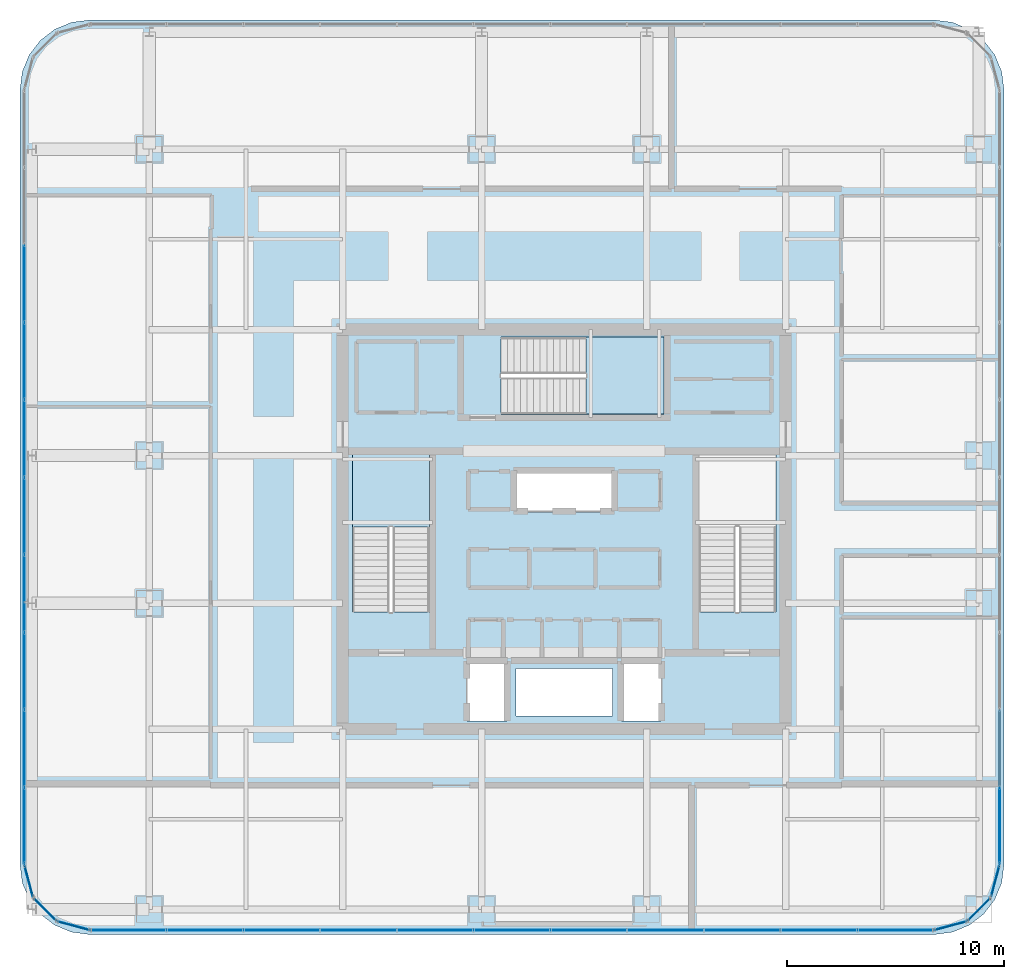
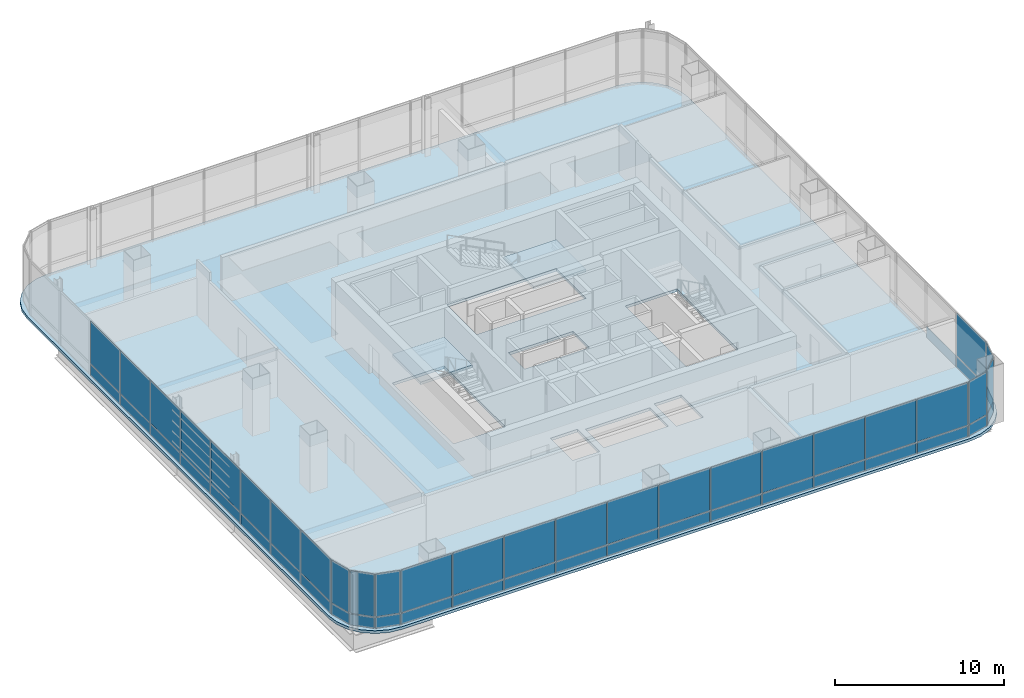
# One storey, part 32 of 42: 53 plates, 3 slabs, 11 elements without a shape of their own.
"""IFC4 building model written with IfcOpenShell, lengths in metres."""

import ifcopenshell
import ifcopenshell.guid

model = None  # the IFC model being written
_history = None  # IfcOwnerHistory: only IFC2X3 demands one
_inside = {}  # id of a spatial element -> (the spatial element, [elements in it])
_under = {}  # id of a project, library or spatial element -> (it, [spatial elements below it])
_declared = {}  # id of a project -> (the project, [libraries it declares])
_typed = {}  # id of a type object -> (the type object, [elements of that type])
_made_of = {}  # id of a material, layer set ... -> (it, [elements and type objects made of it])


def new_model(schema):
    """Start an empty IFC model of exactly this schema.

    Asked for "IFC4X3", IfcOpenShell would pick the latest addendum, in which some entities
    have other attributes; the version numbers below select the first issue.
    IFC2X3 requires an IfcOwnerHistory on every rooted entity: one is made here for all.
    """
    global model, _history
    if schema == "IFC4X3":
        model = ifcopenshell.file(schema_version=(4, 3, 0, 0))
    else:
        model = ifcopenshell.file(schema=schema)
    _inside.clear()
    _under.clear()
    _declared.clear()
    _typed.clear()
    _made_of.clear()
    _history = None
    if model.schema == "IFC2X3":
        org = make("IfcOrganization", Name="unknown")
        user = make(
            "IfcPersonAndOrganization",
            ThePerson=make("IfcPerson", FamilyName="unknown"),
            TheOrganization=org,
        )
        app = make(
            "IfcApplication",
            ApplicationDeveloper=org,
            Version="unknown",
            ApplicationFullName="unknown",
            ApplicationIdentifier="unknown",
        )
        _history = make(
            "IfcOwnerHistory",
            OwningUser=user,
            OwningApplication=app,
            ChangeAction="ADDED",
            CreationDate=0,
        )
    return model


def make(cls, **values):
    """One entity of the class cls with the attributes given. An attribute that is None is left unset."""
    return model.create_entity(
        cls, **{name: value for name, value in values.items() if value is not None}
    )


def rooted(cls, **values):
    """An entity with a GlobalId (a new one), such as an element, a storey or a relation."""
    return make(cls, GlobalId=ifcopenshell.guid.new(), OwnerHistory=_history, **values)


def si_unit(unit_type, name, prefix=None):
    """IfcSIUnit, for example si_unit("LENGTHUNIT", "METRE", prefix="MILLI")."""
    return make("IfcSIUnit", UnitType=unit_type, Prefix=prefix, Name=name)


def assignment(units):
    """IfcUnitAssignment: the units of a project."""
    return None if units is None else make("IfcUnitAssignment", Units=units)


def point(xyz):
    """IfcCartesianPoint."""
    return None if xyz is None else make("IfcCartesianPoint", Coordinates=xyz)


def direction(xyz):
    """IfcDirection."""
    return None if xyz is None else make("IfcDirection", DirectionRatios=xyz)


def frame(location, z_axis=None, x_axis=None):
    """IfcAxis2Placement3D, a coordinate frame: its origin and axes. An axis left out is left unset."""
    return make(
        "IfcAxis2Placement3D",
        Location=point(location),
        Axis=direction(z_axis),
        RefDirection=direction(x_axis),
    )


def frame_2d(location, x_axis=None):
    """IfcAxis2Placement2D, a coordinate frame in the plane: its origin and x axis."""
    return make(
        "IfcAxis2Placement2D", Location=point(location), RefDirection=direction(x_axis)
    )


def origin():
    """The frame at (0, 0, 0) with its axes left unset."""
    return frame((0.0, 0.0, 0.0))


def origin_2d():
    """The frame at (0, 0) in the plane with its x axis left unset."""
    return frame_2d((0.0, 0.0))


def place(relative_to, where):
    """IfcLocalPlacement: puts the frame where relative to a parent placement (None: the world)."""
    return make(
        "IfcLocalPlacement", PlacementRelTo=relative_to, RelativePlacement=where
    )


def context(
    kind, dimensions, precision=None, world=None, true_north=None, identifier=None
):
    """IfcGeometricRepresentationContext, for example the 3D "Model" context."""
    return make(
        "IfcGeometricRepresentationContext",
        ContextIdentifier=identifier,
        ContextType=kind,
        CoordinateSpaceDimension=dimensions,
        Precision=precision,
        WorldCoordinateSystem=world,
        TrueNorth=true_north,
    )


def subcontext(parent, identifier, kind, view, scale=None):
    """IfcGeometricRepresentationSubContext, for example "Body" below "Model"."""
    return make(
        "IfcGeometricRepresentationSubContext",
        ContextIdentifier=identifier,
        ContextType=kind,
        ParentContext=parent,
        TargetScale=scale,
        TargetView=view,
    )


def project(units=None, contexts=None):
    """IfcProject with its units and contexts."""
    return rooted(
        "IfcProject",
        Name="project",
        RepresentationContexts=contexts,
        UnitsInContext=assignment(units),
    )


def spatial(cls, under=None, at=None, **own):
    """A site, building, storey or space (cls), placed at a placement, below another one or the project."""
    s = rooted(cls, ObjectPlacement=at, **own)
    if under is not None:
        _under.setdefault(under.id(), (under, []))[1].append(s)
    return s


def polyline(points):
    """IfcPolyline through the points."""
    return make("IfcPolyline", Points=[point(p) for p in points])


def profile(cls, at=None, kind="AREA", **sizes):
    """A parametric profile (cls). Its sizes go by their IFC names, for example OverallWidth=200.0."""
    return make(cls, ProfileType=kind, Position=at, **sizes)


def rectangle(**sizes):
    """IfcRectangleProfileDef."""
    return profile("IfcRectangleProfileDef", **sizes)


def outline(outer, holes=None, kind="AREA"):
    """IfcArbitraryClosedProfileDef: a profile drawn as a closed curve; with holes, ...WithVoids."""
    if holes is None:
        return make("IfcArbitraryClosedProfileDef", ProfileType=kind, OuterCurve=outer)
    return make(
        "IfcArbitraryProfileDefWithVoids",
        ProfileType=kind,
        OuterCurve=outer,
        InnerCurves=holes,
    )


def extrude(swept, where, along, depth):
    """IfcExtrudedAreaSolid: the profile swept, set in the frame where, extruded along a direction by depth."""
    return make(
        "IfcExtrudedAreaSolid",
        SweptArea=swept,
        Position=where,
        ExtrudedDirection=direction(along),
        Depth=depth,
    )


def shape(context_of_items, identifier, shape_type, items):
    """IfcShapeRepresentation: the items that make up one representation, for example the "Body"."""
    return make(
        "IfcShapeRepresentation",
        ContextOfItems=context_of_items,
        RepresentationIdentifier=identifier,
        RepresentationType=shape_type,
        Items=items,
    )


def material(Name=None, Category=None):
    """IfcMaterial."""
    return make("IfcMaterial", Name=Name, Category=Category)


def layer(
    of_material, thickness, ventilated=None, Name=None, Category=None, Priority=None
):
    """IfcMaterialLayer: one layer of a wall or slab, of a material (None: an air gap)."""
    return make(
        "IfcMaterialLayer",
        Material=of_material,
        LayerThickness=thickness,
        IsVentilated=ventilated,
        Name=Name,
        Category=Category,
        Priority=Priority,
    )


def layer_set(layers, Name=None):
    """IfcMaterialLayerSet."""
    return make("IfcMaterialLayerSet", MaterialLayers=layers, LayerSetName=Name)


def made_of(thing, what):
    """Note that an element or type object is made of a material, layer set ...; save() writes the relation."""
    if what is not None:
        _made_of.setdefault(what.id(), (what, []))[1].append(thing)
    return thing


def type_object(cls, material=None, **own):
    """A type object (cls), such as IfcWallType, which elements share."""
    return made_of(rooted(cls, **own), material)


def element(
    cls,
    number,
    at=None,
    inside=None,
    cuts=None,
    type_object=None,
    material=None,
    context=None,
    identifier="Body",
    shape_type=None,
    held_by="IfcProductDefinitionShape",
    body=None,
    shapes=None,
    **own,
):
    """One element of the class cls, such as IfcWall. Its Tag is "e" and its number.

    at: its placement. inside: the storey or other place that contains it. cuts: it is an
    opening in that element (IfcRelVoidsElement). A single representation is given by context,
    identifier, shape_type and body (its items); several are given by shapes. held_by: the class
    of the entity that holds the representations. save() writes the other relations.
    """
    e = rooted(cls, Tag="e%d" % number, ObjectPlacement=at, **own)
    if body is not None:
        shapes = [shape(context, identifier, shape_type, body)]
    if shapes is not None:
        e.Representation = make(held_by, Representations=shapes)
    if inside is not None:
        _inside.setdefault(inside.id(), (inside, []))[1].append(e)
    if cuts is not None:
        rooted(
            "IfcRelVoidsElement", RelatingBuildingElement=cuts, RelatedOpeningElement=e
        )
    if type_object is not None:
        _typed.setdefault(type_object.id(), (type_object, []))[1].append(e)
    return made_of(e, material)


def aggregate(whole, parts):
    """IfcRelAggregates: a whole, such as a stair, and the parts it consists of."""
    return rooted("IfcRelAggregates", RelatingObject=whole, RelatedObjects=parts)


def save(model, path):
    """Write the relations noted so far, then the file.

    IfcRelAggregates (storeys below a building ...), IfcRelContainedInSpatialStructure (elements
    in a storey), IfcRelDefinesByType, IfcRelAssociatesMaterial and IfcRelDeclares: one each for
    every whole, place, type object, material and project.
    """
    for whole, parts in _under.values():
        aggregate(whole, parts)
    for where, things in _inside.values():
        rooted(
            "IfcRelContainedInSpatialStructure",
            RelatedElements=things,
            RelatingStructure=where,
        )
    for kind, things in _typed.values():
        rooted("IfcRelDefinesByType", RelatedObjects=things, RelatingType=kind)
    for what, things in _made_of.values():
        rooted("IfcRelAssociatesMaterial", RelatedObjects=things, RelatingMaterial=what)
    for by, libraries in _declared.values():
        rooted("IfcRelDeclares", RelatingContext=by, RelatedDefinitions=libraries)
    model.write(path)


model = new_model("IFC4")

# Units and contexts
model_context = context("Model", 3, precision=1e-05, world=origin(), true_north=direction((0.0, 1.0)))
body_context = subcontext(model_context, "Body", "Model", "MODEL_VIEW")
ifc_project = project(units=[si_unit("LENGTHUNIT", "METRE"), si_unit("AREAUNIT", "SQUARE_METRE"), si_unit("VOLUMEUNIT", "CUBIC_METRE"), si_unit("PLANEANGLEUNIT", "RADIAN"), si_unit("MASSUNIT", "GRAM", prefix="KILO")], contexts=[model_context])

# Site, building, storey
site_placement = place(None, origin())
site = spatial("IfcSite", under=ifc_project, at=site_placement, CompositionType="ELEMENT")
building_placement = place(site_placement, origin())
building = spatial("IfcBuilding", under=site, at=building_placement, Name="Punatoya Terracotta Tower", CompositionType="ELEMENT")
storey_placement = place(building_placement, frame((0.0, 0.0, 304.800048828125)))
storey = spatial("IfcBuildingStorey", under=building, at=storey_placement, Name="L72", CompositionType="ELEMENT", Elevation=304.800048828125)

# Curtain wall, plates
ifc_material_1 = material(Name="Aluminium 6063-T6 + Double Low-E Glass", Category="aluminium")
curtain_wall_type = type_object("IfcCurtainWallType", Name="CW-M3", PredefinedType="NOTDEFINED", material=ifc_material_1)
curtain_wall_1_placement = place(storey_placement, origin())
curtain_wall_1 = element("IfcCurtainWall", 1, at=curtain_wall_1_placement, inside=storey, type_object=curtain_wall_type, Name="L72 Curtain Wall CW-L72-S01-1", PredefinedType="NOTDEFINED")
ifc_material_2 = material(Name="Double Low-E Acoustic Vision Glass", Category="glass")
ifc_layer_1 = layer(ifc_material_2, 0.031982421875)
ifc_layer_set_1 = layer_set([ifc_layer_1], Name="Double Low-E Acoustic Vision Glass")
plate_type_1 = type_object("IfcPlateType", Name="PLT-GLZ-32", PredefinedType="CURTAIN_PANEL", material=ifc_layer_set_1)
plate_1_placement = place(storey_placement, frame((-20.06982421875, -18.449951171875, 0.89013671875), z_axis=(0.0, 0.0, 1.0), x_axis=(1.0, 0.0, 0.0)))
plate_1 = element("IfcPlate", 2, at=plate_1_placement, type_object=plate_type_1, Name="CW-L72-S01-1 Vision Glass Panel 1", PredefinedType="CURTAIN_PANEL", context=body_context, shape_type="SweptSolid", body=[
    extrude(rectangle(XDim=3.448974609375, YDim=0.031982421875, at=origin_2d()), origin(), (0.0, 0.0, 1.0), 3.070068359375),
])
plate_2_placement = place(storey_placement, frame((-16.535888671875, -18.449951171875, 0.89013671875), z_axis=(0.0, 0.0, 1.0), x_axis=(1.0, 0.0, 0.0)))
plate_2 = element("IfcPlate", 3, at=plate_2_placement, type_object=plate_type_1, Name="CW-L72-S01-1 Vision Glass Panel 2", PredefinedType="CURTAIN_PANEL", context=body_context, shape_type="SweptSolid", body=[
    extrude(rectangle(XDim=3.448974609375, YDim=0.031982421875, at=origin_2d()), origin(), (0.0, 0.0, 1.0), 3.070068359375),
])
plate_3_placement = place(storey_placement, frame((-13.001953125, -18.449951171875, 0.89013671875), z_axis=(0.0, 0.0, 1.0), x_axis=(1.0, 0.0, 0.0)))
plate_3 = element("IfcPlate", 4, at=plate_3_placement, type_object=plate_type_1, Name="CW-L72-S01-1 Vision Glass Panel 3", PredefinedType="CURTAIN_PANEL", context=body_context, shape_type="SweptSolid", body=[
    extrude(rectangle(XDim=3.448974609375, YDim=0.031982421875, at=origin_2d()), origin(), (0.0, 0.0, 1.0), 3.070068359375),
])
plate_4_placement = place(storey_placement, frame((-9.468017578125, -18.449951171875, 0.89013671875), z_axis=(0.0, 0.0, 1.0), x_axis=(1.0, 0.0, 0.0)))
plate_4 = element("IfcPlate", 5, at=plate_4_placement, type_object=plate_type_1, Name="CW-L72-S01-1 Vision Glass Panel 4", PredefinedType="CURTAIN_PANEL", context=body_context, shape_type="SweptSolid", body=[
    extrude(rectangle(XDim=3.448974609375, YDim=0.031982421875, at=origin_2d()), origin(), (0.0, 0.0, 1.0), 3.070068359375),
])
plate_5_placement = place(storey_placement, frame((-5.93408203125, -18.449951171875, 0.89013671875), z_axis=(0.0, 0.0, 1.0), x_axis=(1.0, 0.0, 0.0)))
plate_5 = element("IfcPlate", 6, at=plate_5_placement, type_object=plate_type_1, Name="CW-L72-S01-1 Vision Glass Panel 5", PredefinedType="CURTAIN_PANEL", context=body_context, shape_type="SweptSolid", body=[
    extrude(rectangle(XDim=3.448974609375, YDim=0.031982421875, at=origin_2d()), origin(), (0.0, 0.0, 1.0), 3.070068359375),
])
plate_6_placement = place(storey_placement, frame((-2.39990234375, -18.449951171875, 0.89013671875), z_axis=(0.0, 0.0, 1.0), x_axis=(1.0, 0.0, 0.0)))
plate_6 = element("IfcPlate", 7, at=plate_6_placement, type_object=plate_type_1, Name="CW-L72-S01-1 Vision Glass Panel 6", PredefinedType="CURTAIN_PANEL", context=body_context, shape_type="SweptSolid", body=[
    extrude(rectangle(XDim=3.448974609375, YDim=0.031982421875, at=origin_2d()), origin(), (0.0, 0.0, 1.0), 3.070068359375),
])
plate_7_placement = place(storey_placement, frame((1.134033203125, -18.449951171875, 0.89013671875), z_axis=(0.0, 0.0, 1.0), x_axis=(1.0, 0.0, 0.0)))
plate_7 = element("IfcPlate", 8, at=plate_7_placement, type_object=plate_type_1, Name="CW-L72-S01-1 Vision Glass Panel 7", PredefinedType="CURTAIN_PANEL", context=body_context, shape_type="SweptSolid", body=[
    extrude(rectangle(XDim=3.448974609375, YDim=0.031982421875, at=origin_2d()), origin(), (0.0, 0.0, 1.0), 3.070068359375),
])
plate_8_placement = place(storey_placement, frame((4.66796875, -18.449951171875, 0.89013671875), z_axis=(0.0, 0.0, 1.0), x_axis=(1.0, 0.0, 0.0)))
plate_8 = element("IfcPlate", 9, at=plate_8_placement, type_object=plate_type_1, Name="CW-L72-S01-1 Vision Glass Panel 8", PredefinedType="CURTAIN_PANEL", context=body_context, shape_type="SweptSolid", body=[
    extrude(rectangle(XDim=3.448974609375, YDim=0.031982421875, at=origin_2d()), origin(), (0.0, 0.0, 1.0), 3.070068359375),
])
plate_9_placement = place(storey_placement, frame((8.201904296875, -18.449951171875, 0.89013671875), z_axis=(0.0, 0.0, 1.0), x_axis=(1.0, 0.0, 0.0)))
plate_9 = element("IfcPlate", 10, at=plate_9_placement, type_object=plate_type_1, Name="CW-L72-S01-1 Vision Glass Panel 9", PredefinedType="CURTAIN_PANEL", context=body_context, shape_type="SweptSolid", body=[
    extrude(rectangle(XDim=3.448974609375, YDim=0.031982421875, at=origin_2d()), origin(), (0.0, 0.0, 1.0), 3.070068359375),
])
plate_10_placement = place(storey_placement, frame((11.73583984375, -18.449951171875, 0.89013671875), z_axis=(0.0, 0.0, 1.0), x_axis=(1.0, 0.0, 0.0)))
plate_10 = element("IfcPlate", 11, at=plate_10_placement, type_object=plate_type_1, Name="CW-L72-S01-1 Vision Glass Panel 10", PredefinedType="CURTAIN_PANEL", context=body_context, shape_type="SweptSolid", body=[
    extrude(rectangle(XDim=3.448974609375, YDim=0.031982421875, at=origin_2d()), origin(), (0.0, 0.0, 1.0), 3.070068359375),
])
plate_11_placement = place(storey_placement, frame((15.27001953125, -18.449951171875, 0.89013671875), z_axis=(0.0, 0.0, 1.0), x_axis=(1.0, 0.0, 0.0)))
plate_11 = element("IfcPlate", 12, at=plate_11_placement, type_object=plate_type_1, Name="CW-L72-S01-1 Vision Glass Panel 11", PredefinedType="CURTAIN_PANEL", context=body_context, shape_type="SweptSolid", body=[
    extrude(rectangle(XDim=3.448974609375, YDim=0.031982421875, at=origin_2d()), origin(), (0.0, 0.0, 1.0), 3.070068359375),
])

# Curtain wall, plate
curtain_wall_2_placement = place(storey_placement, origin())
curtain_wall_2 = element("IfcCurtainWall", 13, at=curtain_wall_2_placement, inside=storey, type_object=curtain_wall_type, Name="L72 Curtain Wall CW-L72-CRN02", PredefinedType="NOTDEFINED")
plate_12_placement = place(storey_placement, frame((17.79296875, -18.248291015625, 0.89013671875), z_axis=(0.0, 0.0, 1.0), x_axis=(0.966213877436, 0.257741620719, 0.0)))
plate_12 = element("IfcPlate", 14, at=plate_12_placement, type_object=plate_type_1, Name="CW-L72-CRN02 Vision Glass Panel 1", PredefinedType="CURTAIN_PANEL", context=body_context, shape_type="SweptSolid", body=[
    extrude(rectangle(XDim=1.47998046875, YDim=0.031982421875, at=origin_2d()), origin(), (0.0, 0.0, 1.0), 3.070068359375),
])

curtain_wall_3_placement = place(storey_placement, origin())
curtain_wall_3 = element("IfcCurtainWall", 15, at=curtain_wall_3_placement, inside=storey, type_object=curtain_wall_type, Name="L72 Curtain Wall CW-L72-CRN03", PredefinedType="NOTDEFINED")
plate_13_placement = place(storey_placement, frame((19.097900390625, -17.497802734375, 0.89013671875), z_axis=(0.0, 0.0, 1.0), x_axis=(0.707106781187, 0.707106781187, 0.0)))
plate_13 = element("IfcPlate", 16, at=plate_13_placement, type_object=plate_type_1, Name="CW-L72-CRN03 Vision Glass Panel 1", PredefinedType="CURTAIN_PANEL", context=body_context, shape_type="SweptSolid", body=[
    extrude(rectangle(XDim=1.467041015625, YDim=0.031982421875, at=origin_2d()), origin(), (0.0, 0.0, 1.0), 3.070068359375),
])

curtain_wall_4_placement = place(storey_placement, origin())
curtain_wall_4 = element("IfcCurtainWall", 17, at=curtain_wall_4_placement, inside=storey, type_object=curtain_wall_type, Name="L72 Curtain Wall CW-L72-CRN04", PredefinedType="NOTDEFINED")
plate_14_placement = place(storey_placement, frame((19.848388671875, -16.193115234375, 0.89013671875), z_axis=(0.0, 0.0, 1.0), x_axis=(0.257741620719, 0.966213877436, 0.0)))
plate_14 = element("IfcPlate", 18, at=plate_14_placement, type_object=plate_type_1, Name="CW-L72-CRN04 Vision Glass Panel 1", PredefinedType="CURTAIN_PANEL", context=body_context, shape_type="SweptSolid", body=[
    extrude(rectangle(XDim=1.47998046875, YDim=0.031982421875, at=origin_2d()), origin(), (0.0, 0.0, 1.0), 3.070068359375),
])

curtain_wall_5_placement = place(storey_placement, origin())
curtain_wall_5 = element("IfcCurtainWall", 19, at=curtain_wall_5_placement, inside=storey, type_object=curtain_wall_type, Name="L72 Curtain Wall CW-L72-E05-1", PredefinedType="NOTDEFINED")
plate_15_placement = place(storey_placement, frame((20.050048828125, -13.6533203125, 0.89013671875), z_axis=(0.0, 0.0, 1.0), x_axis=(0.0, 1.0, 0.0)))
plate_15 = element("IfcPlate", 20, at=plate_15_placement, type_object=plate_type_1, Name="CW-L72-E05-1 Vision Glass Panel 1", PredefinedType="CURTAIN_PANEL", context=body_context, shape_type="SweptSolid", body=[
    extrude(rectangle(XDim=3.482421875, YDim=0.031982421875, at=origin_2d()), origin(), (0.0, 0.0, 1.0), 3.070068359375),
])

# Curtain wall, plates
curtain_wall_6_placement = place(storey_placement, origin())
curtain_wall_6 = element("IfcCurtainWall", 21, at=curtain_wall_6_placement, inside=storey, type_object=curtain_wall_type, Name="L72 Curtain Wall CW-L72-W13-1", PredefinedType="NOTDEFINED")
plate_16_placement = place(storey_placement, frame((-24.85009765625, 11.318359375, 0.89013671875), z_axis=(0.0, 0.0, 1.0), x_axis=(0.0, -1.0, 0.0)))
plate_16 = element("IfcPlate", 22, at=plate_16_placement, type_object=plate_type_1, Name="CW-L72-W13-1 Vision Glass Panel 3", PredefinedType="CURTAIN_PANEL", context=body_context, shape_type="SweptSolid", body=[
    extrude(rectangle(XDim=3.482421875, YDim=0.031982421875, at=origin_2d()), origin(), (0.0, 0.0, 1.0), 3.070068359375),
])
plate_17_placement = place(storey_placement, frame((-24.85009765625, 7.751220703125, 0.89013671875), z_axis=(0.0, 0.0, 1.0), x_axis=(0.0, -1.0, 0.0)))
plate_17 = element("IfcPlate", 23, at=plate_17_placement, type_object=plate_type_1, Name="CW-L72-W13-1 Vision Glass Panel 4", PredefinedType="CURTAIN_PANEL", context=body_context, shape_type="SweptSolid", body=[
    extrude(rectangle(XDim=3.482421875, YDim=0.031982421875, at=origin_2d()), origin(), (0.0, 0.0, 1.0), 3.070068359375),
])
plate_18_placement = place(storey_placement, frame((-24.85009765625, 4.18359375, 0.89013671875), z_axis=(0.0, 0.0, 1.0), x_axis=(0.0, -1.0, 0.0)))
plate_18 = element("IfcPlate", 24, at=plate_18_placement, type_object=plate_type_1, Name="CW-L72-W13-1 Vision Glass Panel 5", PredefinedType="CURTAIN_PANEL", context=body_context, shape_type="SweptSolid", body=[
    extrude(rectangle(XDim=3.482421875, YDim=0.031982421875, at=origin_2d()), origin(), (0.0, 0.0, 1.0), 3.070068359375),
])
plate_19_placement = place(storey_placement, frame((-24.85009765625, 0.6162109375, 0.89013671875), z_axis=(0.0, 0.0, 1.0), x_axis=(0.0, -1.0, 0.0)))
plate_19 = element("IfcPlate", 25, at=plate_19_placement, type_object=plate_type_1, Name="CW-L72-W13-1 Vision Glass Panel 6", PredefinedType="CURTAIN_PANEL", context=body_context, shape_type="SweptSolid", body=[
    extrude(rectangle(XDim=3.482421875, YDim=0.031982421875, at=origin_2d()), origin(), (0.0, 0.0, 1.0), 3.070068359375),
])
plate_20_placement = place(storey_placement, frame((-24.85009765625, -2.951171875, 0.89013671875), z_axis=(0.0, 0.0, 1.0), x_axis=(0.0, -1.0, 0.0)))
plate_20 = element("IfcPlate", 26, at=plate_20_placement, type_object=plate_type_1, Name="CW-L72-W13-1 Vision Glass Panel 7", PredefinedType="CURTAIN_PANEL", context=body_context, shape_type="SweptSolid", body=[
    extrude(rectangle(XDim=3.482421875, YDim=0.031982421875, at=origin_2d()), origin(), (0.0, 0.0, 1.0), 3.070068359375),
])
plate_21_placement = place(storey_placement, frame((-24.85009765625, -6.518310546875, 0.89013671875), z_axis=(0.0, 0.0, 1.0), x_axis=(0.0, -1.0, 0.0)))
plate_21 = element("IfcPlate", 27, at=plate_21_placement, type_object=plate_type_1, Name="CW-L72-W13-1 Vision Glass Panel 8", PredefinedType="CURTAIN_PANEL", context=body_context, shape_type="SweptSolid", body=[
    extrude(rectangle(XDim=3.482421875, YDim=0.031982421875, at=origin_2d()), origin(), (0.0, 0.0, 1.0), 3.070068359375),
])
plate_22_placement = place(storey_placement, frame((-24.85009765625, -10.085693359375, 0.89013671875), z_axis=(0.0, 0.0, 1.0), x_axis=(0.0, -1.0, 0.0)))
plate_22 = element("IfcPlate", 28, at=plate_22_placement, type_object=plate_type_1, Name="CW-L72-W13-1 Vision Glass Panel 9", PredefinedType="CURTAIN_PANEL", context=body_context, shape_type="SweptSolid", body=[
    extrude(rectangle(XDim=3.482421875, YDim=0.031982421875, at=origin_2d()), origin(), (0.0, 0.0, 1.0), 3.070068359375),
])
plate_23_placement = place(storey_placement, frame((-24.85009765625, -13.6533203125, 0.89013671875), z_axis=(0.0, 0.0, 1.0), x_axis=(0.0, -1.0, 0.0)))
plate_23 = element("IfcPlate", 29, at=plate_23_placement, type_object=plate_type_1, Name="CW-L72-W13-1 Vision Glass Panel 10", PredefinedType="CURTAIN_PANEL", context=body_context, shape_type="SweptSolid", body=[
    extrude(rectangle(XDim=3.482421875, YDim=0.031982421875, at=origin_2d()), origin(), (0.0, 0.0, 1.0), 3.070068359375),
])

# Curtain wall, plate
curtain_wall_7_placement = place(storey_placement, origin())
curtain_wall_7 = element("IfcCurtainWall", 30, at=curtain_wall_7_placement, inside=storey, type_object=curtain_wall_type, Name="L72 Curtain Wall CW-L72-CRN14", PredefinedType="NOTDEFINED")
plate_24_placement = place(storey_placement, frame((-24.648193359375, -16.193115234375, 0.89013671875), z_axis=(0.0, 0.0, 1.0), x_axis=(0.257741620719, -0.966213877436, 0.0)))
plate_24 = element("IfcPlate", 31, at=plate_24_placement, type_object=plate_type_1, Name="CW-L72-CRN14 Vision Glass Panel 1", PredefinedType="CURTAIN_PANEL", context=body_context, shape_type="SweptSolid", body=[
    extrude(rectangle(XDim=1.47998046875, YDim=0.031982421875, at=origin_2d()), origin(), (0.0, 0.0, 1.0), 3.070068359375),
])

curtain_wall_8_placement = place(storey_placement, origin())
curtain_wall_8 = element("IfcCurtainWall", 32, at=curtain_wall_8_placement, inside=storey, type_object=curtain_wall_type, Name="L72 Curtain Wall CW-L72-CRN15", PredefinedType="NOTDEFINED")
plate_25_placement = place(storey_placement, frame((-23.89794921875, -17.497802734375, 0.89013671875), z_axis=(0.0, 0.0, 1.0), x_axis=(0.707106781187, -0.707106781187, 0.0)))
plate_25 = element("IfcPlate", 33, at=plate_25_placement, type_object=plate_type_1, Name="CW-L72-CRN15 Vision Glass Panel 1", PredefinedType="CURTAIN_PANEL", context=body_context, shape_type="SweptSolid", body=[
    extrude(rectangle(XDim=1.467041015625, YDim=0.031982421875, at=origin_2d()), origin(), (0.0, 0.0, 1.0), 3.070068359375),
])

curtain_wall_9_placement = place(storey_placement, origin())
curtain_wall_9 = element("IfcCurtainWall", 34, at=curtain_wall_9_placement, inside=storey, type_object=curtain_wall_type, Name="L72 Curtain Wall CW-L72-CRN16", PredefinedType="NOTDEFINED")
plate_26_placement = place(storey_placement, frame((-22.593017578125, -18.248291015625, 0.89013671875), z_axis=(0.0, 0.0, 1.0), x_axis=(0.966213877436, -0.257741620719, 0.0)))
plate_26 = element("IfcPlate", 35, at=plate_26_placement, type_object=plate_type_1, Name="CW-L72-CRN16 Vision Glass Panel 1", PredefinedType="CURTAIN_PANEL", context=body_context, shape_type="SweptSolid", body=[
    extrude(rectangle(XDim=1.47998046875, YDim=0.031982421875, at=origin_2d()), origin(), (0.0, 0.0, 1.0), 3.070068359375),
])

# Plate
ifc_material_3 = material(Name="Insulated Terracotta-Backed Spandrel Panel", Category="masonry")
ifc_layer_2 = layer(ifc_material_3, 0.044921875)
ifc_layer_set_2 = layer_set([ifc_layer_2], Name="Insulated Terracotta-Backed Spandrel Panel")
plate_type_2 = type_object("IfcPlateType", Name="PLT-SPN-45", PredefinedType="CURTAIN_PANEL", material=ifc_layer_set_2)
plate_27_placement = place(storey_placement, frame((-20.06982421875, -18.449951171875, 0.0400390625), z_axis=(0.0, 0.0, 1.0), x_axis=(1.0, 0.0, 0.0)))
plate_27 = element("IfcPlate", 36, at=plate_27_placement, type_object=plate_type_2, Name="CW-L72-S01-1 Terracotta Spandrel Panel 1", PredefinedType="CURTAIN_PANEL", context=body_context, shape_type="SweptSolid", body=[
    extrude(rectangle(XDim=3.448974609375, YDim=0.044921875, at=origin_2d()), origin(), (0.0, 0.0, 1.0), 0.77490234375),
])

plate_28_placement = place(storey_placement, frame((-16.535888671875, -18.449951171875, 0.0400390625), z_axis=(0.0, 0.0, 1.0), x_axis=(1.0, 0.0, 0.0)))
plate_28 = element("IfcPlate", 37, at=plate_28_placement, type_object=plate_type_2, Name="CW-L72-S01-1 Terracotta Spandrel Panel 2", PredefinedType="CURTAIN_PANEL", context=body_context, shape_type="SweptSolid", body=[
    extrude(rectangle(XDim=3.448974609375, YDim=0.044921875, at=origin_2d()), origin(), (0.0, 0.0, 1.0), 0.77490234375),
])

plate_29_placement = place(storey_placement, frame((-13.001953125, -18.449951171875, 0.0400390625), z_axis=(0.0, 0.0, 1.0), x_axis=(1.0, 0.0, 0.0)))
plate_29 = element("IfcPlate", 38, at=plate_29_placement, type_object=plate_type_2, Name="CW-L72-S01-1 Terracotta Spandrel Panel 3", PredefinedType="CURTAIN_PANEL", context=body_context, shape_type="SweptSolid", body=[
    extrude(rectangle(XDim=3.448974609375, YDim=0.044921875, at=origin_2d()), origin(), (0.0, 0.0, 1.0), 0.77490234375),
])

plate_30_placement = place(storey_placement, frame((-9.468017578125, -18.449951171875, 0.0400390625), z_axis=(0.0, 0.0, 1.0), x_axis=(1.0, 0.0, 0.0)))
plate_30 = element("IfcPlate", 39, at=plate_30_placement, type_object=plate_type_2, Name="CW-L72-S01-1 Terracotta Spandrel Panel 4", PredefinedType="CURTAIN_PANEL", context=body_context, shape_type="SweptSolid", body=[
    extrude(rectangle(XDim=3.448974609375, YDim=0.044921875, at=origin_2d()), origin(), (0.0, 0.0, 1.0), 0.77490234375),
])

plate_31_placement = place(storey_placement, frame((-5.93408203125, -18.449951171875, 0.0400390625), z_axis=(0.0, 0.0, 1.0), x_axis=(1.0, 0.0, 0.0)))
plate_31 = element("IfcPlate", 40, at=plate_31_placement, type_object=plate_type_2, Name="CW-L72-S01-1 Terracotta Spandrel Panel 5", PredefinedType="CURTAIN_PANEL", context=body_context, shape_type="SweptSolid", body=[
    extrude(rectangle(XDim=3.448974609375, YDim=0.044921875, at=origin_2d()), origin(), (0.0, 0.0, 1.0), 0.77490234375),
])

plate_32_placement = place(storey_placement, frame((-2.39990234375, -18.449951171875, 0.0400390625), z_axis=(0.0, 0.0, 1.0), x_axis=(1.0, 0.0, 0.0)))
plate_32 = element("IfcPlate", 41, at=plate_32_placement, type_object=plate_type_2, Name="CW-L72-S01-1 Terracotta Spandrel Panel 6", PredefinedType="CURTAIN_PANEL", context=body_context, shape_type="SweptSolid", body=[
    extrude(rectangle(XDim=3.448974609375, YDim=0.044921875, at=origin_2d()), origin(), (0.0, 0.0, 1.0), 0.77490234375),
])

plate_33_placement = place(storey_placement, frame((1.134033203125, -18.449951171875, 0.0400390625), z_axis=(0.0, 0.0, 1.0), x_axis=(1.0, 0.0, 0.0)))
plate_33 = element("IfcPlate", 42, at=plate_33_placement, type_object=plate_type_2, Name="CW-L72-S01-1 Terracotta Spandrel Panel 7", PredefinedType="CURTAIN_PANEL", context=body_context, shape_type="SweptSolid", body=[
    extrude(rectangle(XDim=3.448974609375, YDim=0.044921875, at=origin_2d()), origin(), (0.0, 0.0, 1.0), 0.77490234375),
])

plate_34_placement = place(storey_placement, frame((4.66796875, -18.449951171875, 0.0400390625), z_axis=(0.0, 0.0, 1.0), x_axis=(1.0, 0.0, 0.0)))
plate_34 = element("IfcPlate", 43, at=plate_34_placement, type_object=plate_type_2, Name="CW-L72-S01-1 Terracotta Spandrel Panel 8", PredefinedType="CURTAIN_PANEL", context=body_context, shape_type="SweptSolid", body=[
    extrude(rectangle(XDim=3.448974609375, YDim=0.044921875, at=origin_2d()), origin(), (0.0, 0.0, 1.0), 0.77490234375),
])

plate_35_placement = place(storey_placement, frame((8.201904296875, -18.449951171875, 0.0400390625), z_axis=(0.0, 0.0, 1.0), x_axis=(1.0, 0.0, 0.0)))
plate_35 = element("IfcPlate", 44, at=plate_35_placement, type_object=plate_type_2, Name="CW-L72-S01-1 Terracotta Spandrel Panel 9", PredefinedType="CURTAIN_PANEL", context=body_context, shape_type="SweptSolid", body=[
    extrude(rectangle(XDim=3.448974609375, YDim=0.044921875, at=origin_2d()), origin(), (0.0, 0.0, 1.0), 0.77490234375),
])

plate_36_placement = place(storey_placement, frame((11.73583984375, -18.449951171875, 0.0400390625), z_axis=(0.0, 0.0, 1.0), x_axis=(1.0, 0.0, 0.0)))
plate_36 = element("IfcPlate", 45, at=plate_36_placement, type_object=plate_type_2, Name="CW-L72-S01-1 Terracotta Spandrel Panel 10", PredefinedType="CURTAIN_PANEL", context=body_context, shape_type="SweptSolid", body=[
    extrude(rectangle(XDim=3.448974609375, YDim=0.044921875, at=origin_2d()), origin(), (0.0, 0.0, 1.0), 0.77490234375),
])

plate_37_placement = place(storey_placement, frame((15.27001953125, -18.449951171875, 0.0400390625), z_axis=(0.0, 0.0, 1.0), x_axis=(1.0, 0.0, 0.0)))
plate_37 = element("IfcPlate", 46, at=plate_37_placement, type_object=plate_type_2, Name="CW-L72-S01-1 Terracotta Spandrel Panel 11", PredefinedType="CURTAIN_PANEL", context=body_context, shape_type="SweptSolid", body=[
    extrude(rectangle(XDim=3.448974609375, YDim=0.044921875, at=origin_2d()), origin(), (0.0, 0.0, 1.0), 0.77490234375),
])

aggregate(curtain_wall_1, [plate_27, plate_1, plate_28, plate_2, plate_29, plate_3, plate_30, plate_4, plate_31, plate_5, plate_32, plate_6, plate_33, plate_7, plate_34, plate_8, plate_35, plate_9, plate_36, plate_10, plate_37, plate_11])

plate_38_placement = place(storey_placement, frame((17.79296875, -18.248291015625, 0.0400390625), z_axis=(0.0, 0.0, 1.0), x_axis=(0.966213877436, 0.257741620719, 0.0)))
plate_38 = element("IfcPlate", 47, at=plate_38_placement, type_object=plate_type_2, Name="CW-L72-CRN02 Terracotta Spandrel Panel 1", PredefinedType="CURTAIN_PANEL", context=body_context, shape_type="SweptSolid", body=[
    extrude(rectangle(XDim=1.47998046875, YDim=0.044921875, at=origin_2d()), origin(), (0.0, 0.0, 1.0), 0.77490234375),
])

aggregate(curtain_wall_2, [plate_38, plate_12])

plate_39_placement = place(storey_placement, frame((19.097900390625, -17.497802734375, 0.0400390625), z_axis=(0.0, 0.0, 1.0), x_axis=(0.707106781187, 0.707106781187, 0.0)))
plate_39 = element("IfcPlate", 48, at=plate_39_placement, type_object=plate_type_2, Name="CW-L72-CRN03 Terracotta Spandrel Panel 1", PredefinedType="CURTAIN_PANEL", context=body_context, shape_type="SweptSolid", body=[
    extrude(rectangle(XDim=1.467041015625, YDim=0.044921875, at=origin_2d()), origin(), (0.0, 0.0, 1.0), 0.77490234375),
])

aggregate(curtain_wall_3, [plate_39, plate_13])

plate_40_placement = place(storey_placement, frame((19.848388671875, -16.193115234375, 0.0400390625), z_axis=(0.0, 0.0, 1.0), x_axis=(0.257741620719, 0.966213877436, 0.0)))
plate_40 = element("IfcPlate", 49, at=plate_40_placement, type_object=plate_type_2, Name="CW-L72-CRN04 Terracotta Spandrel Panel 1", PredefinedType="CURTAIN_PANEL", context=body_context, shape_type="SweptSolid", body=[
    extrude(rectangle(XDim=1.47998046875, YDim=0.044921875, at=origin_2d()), origin(), (0.0, 0.0, 1.0), 0.77490234375),
])

aggregate(curtain_wall_4, [plate_40, plate_14])

plate_41_placement = place(storey_placement, frame((20.050048828125, -13.6533203125, 0.0400390625), z_axis=(0.0, 0.0, 1.0), x_axis=(0.0, 1.0, 0.0)))
plate_41 = element("IfcPlate", 50, at=plate_41_placement, type_object=plate_type_2, Name="CW-L72-E05-1 Terracotta Spandrel Panel 1", PredefinedType="CURTAIN_PANEL", context=body_context, shape_type="SweptSolid", body=[
    extrude(rectangle(XDim=3.482421875, YDim=0.044921875, at=origin_2d()), origin(), (0.0, 0.0, 1.0), 0.77490234375),
])

plate_42_placement = place(storey_placement, frame((20.050048828125, -10.085693359375, 0.0400390625), z_axis=(0.0, 0.0, 1.0), x_axis=(0.0, 1.0, 0.0)))
plate_42 = element("IfcPlate", 51, at=plate_42_placement, type_object=plate_type_2, Name="CW-L72-E05-1 Terracotta Spandrel Panel 2", PredefinedType="CURTAIN_PANEL", context=body_context, shape_type="SweptSolid", body=[
    extrude(rectangle(XDim=3.482421875, YDim=0.044921875, at=origin_2d()), origin(), (0.0, 0.0, 1.0), 0.77490234375),
])

aggregate(curtain_wall_5, [plate_41, plate_15, plate_42])

plate_43_placement = place(storey_placement, frame((-24.85009765625, 11.318359375, 0.0400390625), z_axis=(0.0, 0.0, 1.0), x_axis=(0.0, -1.0, 0.0)))
plate_43 = element("IfcPlate", 52, at=plate_43_placement, type_object=plate_type_2, Name="CW-L72-W13-1 Terracotta Spandrel Panel 3", PredefinedType="CURTAIN_PANEL", context=body_context, shape_type="SweptSolid", body=[
    extrude(rectangle(XDim=3.482421875, YDim=0.044921875, at=origin_2d()), origin(), (0.0, 0.0, 1.0), 0.77490234375),
])

plate_44_placement = place(storey_placement, frame((-24.85009765625, 7.751220703125, 0.0400390625), z_axis=(0.0, 0.0, 1.0), x_axis=(0.0, -1.0, 0.0)))
plate_44 = element("IfcPlate", 53, at=plate_44_placement, type_object=plate_type_2, Name="CW-L72-W13-1 Terracotta Spandrel Panel 4", PredefinedType="CURTAIN_PANEL", context=body_context, shape_type="SweptSolid", body=[
    extrude(rectangle(XDim=3.482421875, YDim=0.044921875, at=origin_2d()), origin(), (0.0, 0.0, 1.0), 0.77490234375),
])

plate_45_placement = place(storey_placement, frame((-24.85009765625, 4.18359375, 0.0400390625), z_axis=(0.0, 0.0, 1.0), x_axis=(0.0, -1.0, 0.0)))
plate_45 = element("IfcPlate", 54, at=plate_45_placement, type_object=plate_type_2, Name="CW-L72-W13-1 Terracotta Spandrel Panel 5", PredefinedType="CURTAIN_PANEL", context=body_context, shape_type="SweptSolid", body=[
    extrude(rectangle(XDim=3.482421875, YDim=0.044921875, at=origin_2d()), origin(), (0.0, 0.0, 1.0), 0.77490234375),
])

plate_46_placement = place(storey_placement, frame((-24.85009765625, 0.6162109375, 0.0400390625), z_axis=(0.0, 0.0, 1.0), x_axis=(0.0, -1.0, 0.0)))
plate_46 = element("IfcPlate", 55, at=plate_46_placement, type_object=plate_type_2, Name="CW-L72-W13-1 Terracotta Spandrel Panel 6", PredefinedType="CURTAIN_PANEL", context=body_context, shape_type="SweptSolid", body=[
    extrude(rectangle(XDim=3.482421875, YDim=0.044921875, at=origin_2d()), origin(), (0.0, 0.0, 1.0), 0.77490234375),
])

plate_47_placement = place(storey_placement, frame((-24.85009765625, -2.951171875, 0.0400390625), z_axis=(0.0, 0.0, 1.0), x_axis=(0.0, -1.0, 0.0)))
plate_47 = element("IfcPlate", 56, at=plate_47_placement, type_object=plate_type_2, Name="CW-L72-W13-1 Terracotta Spandrel Panel 7", PredefinedType="CURTAIN_PANEL", context=body_context, shape_type="SweptSolid", body=[
    extrude(rectangle(XDim=3.482421875, YDim=0.044921875, at=origin_2d()), origin(), (0.0, 0.0, 1.0), 0.77490234375),
])

plate_48_placement = place(storey_placement, frame((-24.85009765625, -6.518310546875, 0.0400390625), z_axis=(0.0, 0.0, 1.0), x_axis=(0.0, -1.0, 0.0)))
plate_48 = element("IfcPlate", 57, at=plate_48_placement, type_object=plate_type_2, Name="CW-L72-W13-1 Terracotta Spandrel Panel 8", PredefinedType="CURTAIN_PANEL", context=body_context, shape_type="SweptSolid", body=[
    extrude(rectangle(XDim=3.482421875, YDim=0.044921875, at=origin_2d()), origin(), (0.0, 0.0, 1.0), 0.77490234375),
])

plate_49_placement = place(storey_placement, frame((-24.85009765625, -10.085693359375, 0.0400390625), z_axis=(0.0, 0.0, 1.0), x_axis=(0.0, -1.0, 0.0)))
plate_49 = element("IfcPlate", 58, at=plate_49_placement, type_object=plate_type_2, Name="CW-L72-W13-1 Terracotta Spandrel Panel 9", PredefinedType="CURTAIN_PANEL", context=body_context, shape_type="SweptSolid", body=[
    extrude(rectangle(XDim=3.482421875, YDim=0.044921875, at=origin_2d()), origin(), (0.0, 0.0, 1.0), 0.77490234375),
])

plate_50_placement = place(storey_placement, frame((-24.85009765625, -13.6533203125, 0.0400390625), z_axis=(0.0, 0.0, 1.0), x_axis=(0.0, -1.0, 0.0)))
plate_50 = element("IfcPlate", 59, at=plate_50_placement, type_object=plate_type_2, Name="CW-L72-W13-1 Terracotta Spandrel Panel 10", PredefinedType="CURTAIN_PANEL", context=body_context, shape_type="SweptSolid", body=[
    extrude(rectangle(XDim=3.482421875, YDim=0.044921875, at=origin_2d()), origin(), (0.0, 0.0, 1.0), 0.77490234375),
])

aggregate(curtain_wall_6, [plate_43, plate_16, plate_44, plate_17, plate_45, plate_18, plate_46, plate_19, plate_47, plate_20, plate_48, plate_21, plate_49, plate_22, plate_50, plate_23])

plate_51_placement = place(storey_placement, frame((-24.648193359375, -16.193115234375, 0.0400390625), z_axis=(0.0, 0.0, 1.0), x_axis=(0.257741620719, -0.966213877436, 0.0)))
plate_51 = element("IfcPlate", 60, at=plate_51_placement, type_object=plate_type_2, Name="CW-L72-CRN14 Terracotta Spandrel Panel 1", PredefinedType="CURTAIN_PANEL", context=body_context, shape_type="SweptSolid", body=[
    extrude(rectangle(XDim=1.47998046875, YDim=0.044921875, at=origin_2d()), origin(), (0.0, 0.0, 1.0), 0.77490234375),
])

aggregate(curtain_wall_7, [plate_51, plate_24])

plate_52_placement = place(storey_placement, frame((-23.89794921875, -17.497802734375, 0.0400390625), z_axis=(0.0, 0.0, 1.0), x_axis=(0.707106781187, -0.707106781187, 0.0)))
plate_52 = element("IfcPlate", 61, at=plate_52_placement, type_object=plate_type_2, Name="CW-L72-CRN15 Terracotta Spandrel Panel 1", PredefinedType="CURTAIN_PANEL", context=body_context, shape_type="SweptSolid", body=[
    extrude(rectangle(XDim=1.467041015625, YDim=0.044921875, at=origin_2d()), origin(), (0.0, 0.0, 1.0), 0.77490234375),
])

aggregate(curtain_wall_8, [plate_52, plate_25])

plate_53_placement = place(storey_placement, frame((-22.593017578125, -18.248291015625, 0.0400390625), z_axis=(0.0, 0.0, 1.0), x_axis=(0.966213877436, -0.257741620719, 0.0)))
plate_53 = element("IfcPlate", 62, at=plate_53_placement, type_object=plate_type_2, Name="CW-L72-CRN16 Terracotta Spandrel Panel 1", PredefinedType="CURTAIN_PANEL", context=body_context, shape_type="SweptSolid", body=[
    extrude(rectangle(XDim=1.47998046875, YDim=0.044921875, at=origin_2d()), origin(), (0.0, 0.0, 1.0), 0.77490234375),
])

aggregate(curtain_wall_9, [plate_53, plate_26])

# Stair, slab
ifc_material_4 = material(Name="Concrete C40/50", Category="concrete")
stair_type_1 = type_object("IfcStairType", Name="STR-TER-1450", PredefinedType="HALF_TURN_STAIR", material=ifc_material_4)
stair_1_placement = place(storey_placement, origin())
stair_1 = element("IfcStair", 63, at=stair_1_placement, inside=storey, type_object=stair_type_1, Name="L72 Protected Core Exit Stair ST-3", PredefinedType="HALF_TURN_STAIR")
ifc_layer_3 = layer(ifc_material_4, 0.1650390625)
ifc_layer_set_3 = layer_set([ifc_layer_3], Name="Concrete C40/50")
slab_type_1 = type_object("IfcSlabType", Name="SLB-LND-165", PredefinedType="LANDING", material=ifc_layer_set_3)
slab_1_placement = place(storey_placement, frame((0.0, 0.0, 1.89990234375)))
slab_1 = element("IfcSlab", 64, at=slab_1_placement, type_object=slab_type_1, Name="ST-3 landing 1", PredefinedType="LANDING", context=body_context, shape_type="SweptSolid", body=[
    extrude(outline(polyline([(1.0, 5.300048828125), (4.60009765625, 5.300048828125), (4.60009765625, 8.85009765625), (1.0, 8.85009765625), (1.0, 5.300048828125)])), origin(), (0.0, 0.0, 1.0), 0.199951171875),
])
aggregate(stair_1, [slab_1])

stair_type_2 = type_object("IfcStairType", Name="STR-CORE-1550", PredefinedType="HALF_TURN_STAIR", material=ifc_material_4)
stair_2_placement = place(storey_placement, origin())
stair_2 = element("IfcStair", 65, at=stair_2_placement, inside=storey, type_object=stair_type_2, Name="L72 Protected Core Exit Stair ST-1", PredefinedType="HALF_TURN_STAIR")
ifc_layer_4 = layer(ifc_material_4, 0.179931640625)
ifc_layer_set_4 = layer_set([ifc_layer_4], Name="Concrete C40/50")
slab_type_2 = type_object("IfcSlabType", Name="SLB-LND-180", PredefinedType="LANDING", material=ifc_layer_set_4)
slab_2_placement = place(storey_placement, frame((0.0, 0.0, 1.89990234375)))
slab_2 = element("IfcSlab", 66, at=slab_2_placement, type_object=slab_type_2, Name="ST-1 landing 1", PredefinedType="LANDING", context=body_context, shape_type="SweptSolid", body=[
    extrude(outline(polyline([(-6.199951171875, 0.10009765625), (-6.199951171875, 3.449951171875), (-9.75, 3.449951171875), (-9.75, 0.10009765625), (-6.199951171875, 0.10009765625)])), origin(), (0.0, 0.0, 1.0), 0.199951171875),
])
aggregate(stair_2, [slab_2])

# Slab
ifc_layer_5 = layer(ifc_material_4, 0.199951171875)
ifc_layer_set_5 = layer_set([ifc_layer_5], Name="Concrete C40/50")
slab_type_3 = type_object("IfcSlabType", Name="SLB-OFF-200", PredefinedType="FLOOR", material=ifc_layer_set_5)
slab_3_placement = place(storey_placement, frame((0.0, 0.0, -0.199951171875)))
element("IfcSlab", 67, at=slab_3_placement, inside=storey, type_object=slab_type_3, Name="L72 Structural Floor Slab", PredefinedType="FLOOR", context=body_context, shape_type="SweptSolid", body=[
    extrude(outline(polyline([(-21.85009765625, -18.64990234375), (-22.67822265625, -18.541015625), (-23.449951171875, -18.22119140625), (-24.11279296875, -17.712646484375), (-24.621337890625, -17.050048828125), (-24.94091796875, -16.2783203125), (-25.050048828125, -15.449951171875), (-25.050048828125, 20.25), (-24.94091796875, 21.078125), (-24.621337890625, 21.85009765625), (-24.11279296875, 22.5126953125), (-23.449951171875, 23.021240234375), (-22.67822265625, 23.341064453125), (-21.85009765625, 23.449951171875), (17.050048828125, 23.449951171875), (17.878173828125, 23.341064453125), (18.64990234375, 23.021240234375), (19.312744140625, 22.5126953125), (19.8212890625, 21.85009765625), (20.14111328125, 21.078125), (20.25, 20.25), (20.25, -15.449951171875), (20.14111328125, -16.2783203125), (19.8212890625, -17.050048828125), (19.312744140625, -17.712646484375), (18.64990234375, -18.22119140625), (17.878173828125, -18.541015625), (17.050048828125, -18.64990234375), (-21.85009765625, -18.64990234375)]), holes=[polyline([(-2.6298828125, -6.179931640625), (-4.469970703125, -6.179931640625), (-4.469970703125, -8.820068359375), (-2.6298828125, -8.820068359375), (-2.6298828125, -6.179931640625)]), polyline([(-0.02001953125, -6.405029296875), (-2.219970703125, -6.405029296875), (-2.219970703125, -8.594970703125), (-0.02001953125, -8.594970703125), (0.02001953125, -8.594970703125), (2.219970703125, -8.594970703125), (2.219970703125, -6.405029296875), (0.02001953125, -6.405029296875), (-0.02001953125, -6.405029296875)]), polyline([(4.469970703125, -6.179931640625), (2.6298828125, -6.179931640625), (2.6298828125, -8.820068359375), (4.469970703125, -8.820068359375), (4.469970703125, -6.179931640625)]), polyline([(-9.75, 3.449951171875), (-9.75, -3.79931640625), (-6.199951171875, -3.79931640625), (-6.199951171875, 3.449951171875), (-9.75, 3.449951171875)]), polyline([(6.199951171875, 3.449951171875), (6.199951171875, -3.79931640625), (9.75, -3.79931640625), (9.75, 3.449951171875), (6.199951171875, 3.449951171875)]), polyline([(-2.219970703125, 2.719970703125), (-2.219970703125, 0.780029296875), (-0.02001953125, 0.780029296875), (0.02001953125, 0.780029296875), (2.219970703125, 0.780029296875), (2.219970703125, 2.719970703125), (0.02001953125, 2.719970703125), (-0.02001953125, 2.719970703125), (-2.219970703125, 2.719970703125)]), polyline([(4.60009765625, 5.300048828125), (4.60009765625, 8.85009765625), (-2.899169921875, 8.85009765625), (-2.899169921875, 5.300048828125), (4.60009765625, 5.300048828125)])]), origin(), (0.0, 0.0, 1.0), 0.199951171875),
])

save(model, "model.ifc")
